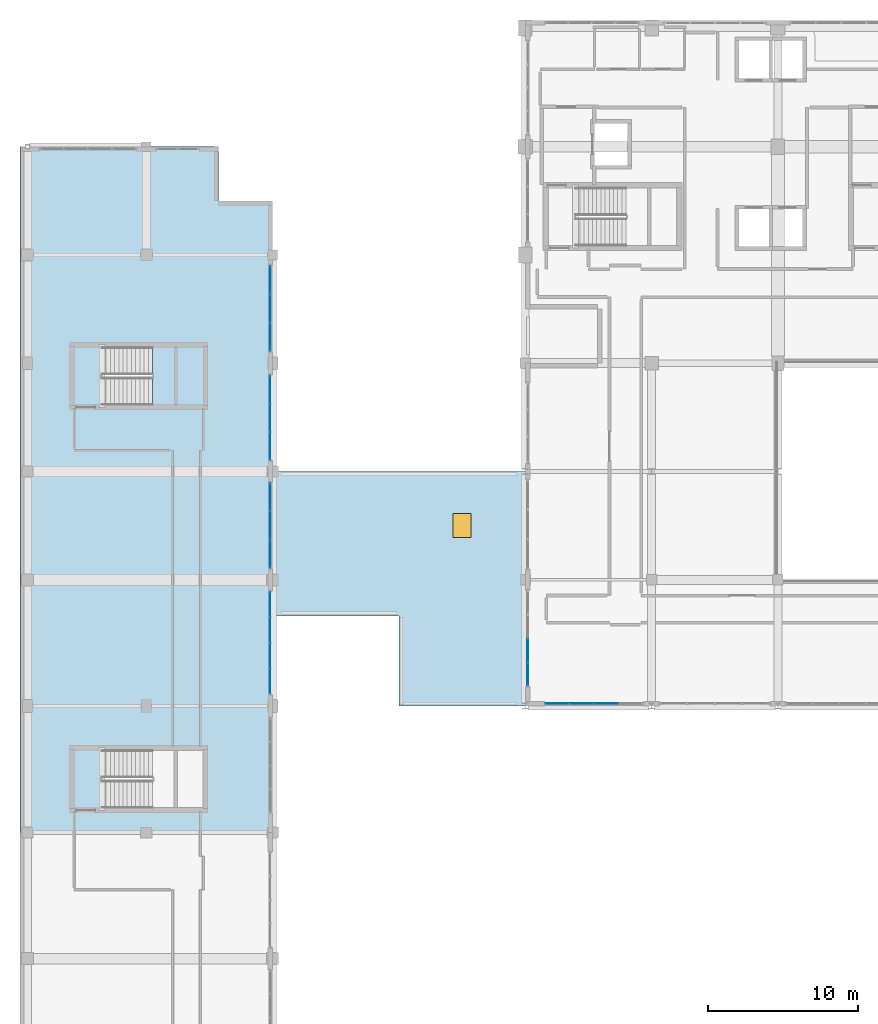
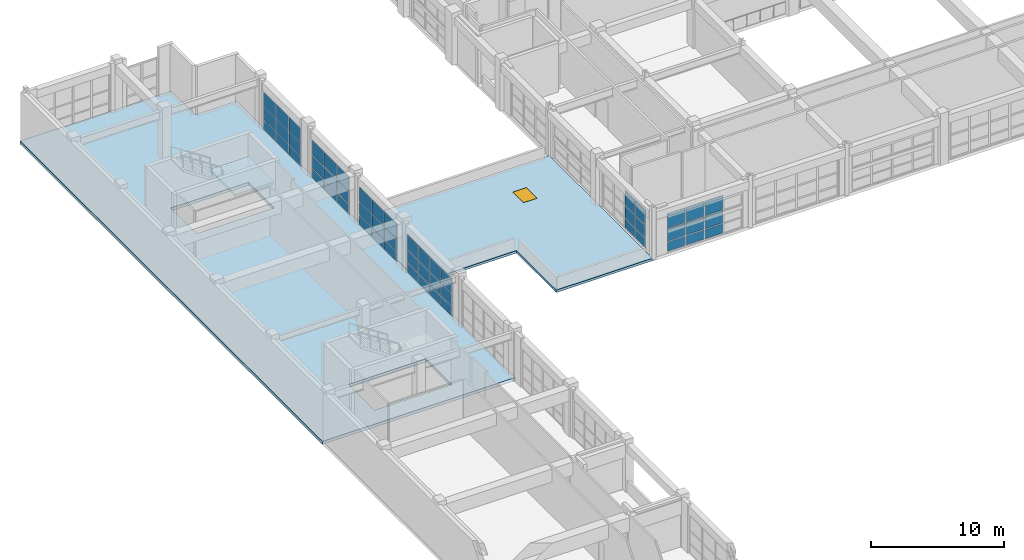
# One storey, part 91 of 123: 54 plates, 3 slabs, 1 window, 1 opening, 7 elements without a shape of their own.
"""IFC4 building model written with IfcOpenShell, lengths in metres."""

from ifc_helpers import new_model, si_unit, direction, frame, origin, origin_2d, place, context, subcontext, project, spatial, polyline, rectangle, outline, extrude, material, layer, layer_set, type_object, element, fill, aggregate, save


model = new_model("IFC4")

# Units and contexts
model_context = context("Model", 3, precision=1e-05, world=origin(), true_north=direction((0.0, 1.0)))
body_context = subcontext(model_context, "Body", "Model", "MODEL_VIEW")
ifc_project = project(units=[si_unit("LENGTHUNIT", "METRE"), si_unit("AREAUNIT", "SQUARE_METRE"), si_unit("VOLUMEUNIT", "CUBIC_METRE"), si_unit("PLANEANGLEUNIT", "RADIAN"), si_unit("MASSUNIT", "GRAM", prefix="KILO")], contexts=[model_context])

# Site, building, storey
site_placement = place(None, origin())
site = spatial("IfcSite", under=ifc_project, at=site_placement, CompositionType="ELEMENT")
building_placement = place(site_placement, origin())
building = spatial("IfcBuilding", under=site, at=building_placement, Name="Quendrovan Civic Courthouse", CompositionType="ELEMENT")
storey_placement = place(building_placement, frame((0.0, 0.0, 5.39990234375)))
storey = spatial("IfcBuildingStorey", under=building, at=storey_placement, Name="L02", CompositionType="ELEMENT", Elevation=5.39990234375)

# Curtain wall, plates
ifc_material_1 = material(Name="Bronze anodised aluminium and low-E glass", Category="aluminium")
ifc_layer_1 = layer(ifc_material_1, 0.179931640625, Name="Bronze anodised aluminium and low-E glass")
ifc_layer_set_1 = layer_set([ifc_layer_1], Name="Bronze anodised aluminium and low-E glass")
curtain_wall_type_1 = type_object("IfcCurtainWallType", Name="CW-U69x36", PredefinedType="USERDEFINED", material=ifc_layer_set_1)
curtain_wall_1_placement = place(storey_placement, origin())
curtain_wall_1 = element("IfcCurtainWall", 1, at=curtain_wall_1_placement, inside=storey, type_object=curtain_wall_type_1, Name="L02 Unitised Hurricane Curtain Wall CW-072", ObjectType="UNITISED CURTAIN WALL", PredefinedType="USERDEFINED")
ifc_material_2 = material(Name="Laminated hurricane-impact low-E glass", Category="glass")
ifc_layer_2 = layer(ifc_material_2, 0.028076171875, Name="Laminated hurricane-impact low-E glass")
ifc_layer_set_2 = layer_set([ifc_layer_2], Name="Laminated hurricane-impact low-E glass")
plate_type_1 = type_object("IfcPlateType", Name="CW-PNL-1", PredefinedType="CURTAIN_PANEL", material=ifc_layer_set_2)
plate_1_placement = place(storey_placement, frame((16.635009765625, 71.5732421875, 0.0703125), z_axis=(0.0, 0.0, 1.0), x_axis=(0.0, -1.0, 0.0)))
plate_1 = element("IfcPlate", 2, at=plate_1_placement, type_object=plate_type_1, Name="CW-072 panel 1.1", PredefinedType="CURTAIN_PANEL", context=body_context, shape_type="SweptSolid", body=[
    extrude(rectangle(XDim=1.61376953125, YDim=0.028076171875, at=origin_2d()), origin(), (0.0, 0.0, 1.0), 0.844970703125),
])
plate_2_placement = place(storey_placement, frame((16.635009765625, 71.5732421875, 0.985107421875), z_axis=(0.0, 0.0, 1.0), x_axis=(0.0, -1.0, 0.0)))
plate_2 = element("IfcPlate", 3, at=plate_2_placement, type_object=plate_type_1, Name="CW-072 panel 1.2", PredefinedType="CURTAIN_PANEL", context=body_context, shape_type="SweptSolid", body=[
    extrude(rectangle(XDim=1.61376953125, YDim=0.028076171875, at=origin_2d()), origin(), (0.0, 0.0, 1.0), 1.1298828125),
])
plate_3_placement = place(storey_placement, frame((16.635009765625, 71.5732421875, 2.18505859375), z_axis=(0.0, 0.0, 1.0), x_axis=(0.0, -1.0, 0.0)))
plate_3 = element("IfcPlate", 4, at=plate_3_placement, type_object=plate_type_1, Name="CW-072 panel 1.3", PredefinedType="CURTAIN_PANEL", context=body_context, shape_type="SweptSolid", body=[
    extrude(rectangle(XDim=1.61376953125, YDim=0.028076171875, at=origin_2d()), origin(), (0.0, 0.0, 1.0), 1.344970703125),
])
plate_4_placement = place(storey_placement, frame((16.635009765625, 69.871826171875, 0.0703125), z_axis=(0.0, 0.0, 1.0), x_axis=(0.0, -1.0, 0.0)))
plate_4 = element("IfcPlate", 5, at=plate_4_placement, type_object=plate_type_1, Name="CW-072 panel 2.1", PredefinedType="CURTAIN_PANEL", context=body_context, shape_type="SweptSolid", body=[
    extrude(rectangle(XDim=1.648681640625, YDim=0.028076171875, at=origin_2d()), origin(), (0.0, 0.0, 1.0), 0.844970703125),
])
plate_5_placement = place(storey_placement, frame((16.635009765625, 69.871826171875, 0.985107421875), z_axis=(0.0, 0.0, 1.0), x_axis=(0.0, -1.0, 0.0)))
plate_5 = element("IfcPlate", 6, at=plate_5_placement, type_object=plate_type_1, Name="CW-072 panel 2.2", PredefinedType="CURTAIN_PANEL", context=body_context, shape_type="SweptSolid", body=[
    extrude(rectangle(XDim=1.648681640625, YDim=0.028076171875, at=origin_2d()), origin(), (0.0, 0.0, 1.0), 1.1298828125),
])
plate_6_placement = place(storey_placement, frame((16.635009765625, 69.871826171875, 2.18505859375), z_axis=(0.0, 0.0, 1.0), x_axis=(0.0, -1.0, 0.0)))
plate_6 = element("IfcPlate", 7, at=plate_6_placement, type_object=plate_type_1, Name="CW-072 panel 2.3", PredefinedType="CURTAIN_PANEL", context=body_context, shape_type="SweptSolid", body=[
    extrude(rectangle(XDim=1.648681640625, YDim=0.028076171875, at=origin_2d()), origin(), (0.0, 0.0, 1.0), 1.344970703125),
])
plate_7_placement = place(storey_placement, frame((16.635009765625, 68.153076171875, 0.0703125), z_axis=(0.0, 0.0, 1.0), x_axis=(0.0, -1.0, 0.0)))
plate_7 = element("IfcPlate", 8, at=plate_7_placement, type_object=plate_type_1, Name="CW-072 panel 3.1", PredefinedType="CURTAIN_PANEL", context=body_context, shape_type="SweptSolid", body=[
    extrude(rectangle(XDim=1.648681640625, YDim=0.028076171875, at=origin_2d()), origin(), (0.0, 0.0, 1.0), 0.844970703125),
])
plate_8_placement = place(storey_placement, frame((16.635009765625, 68.153076171875, 0.985107421875), z_axis=(0.0, 0.0, 1.0), x_axis=(0.0, -1.0, 0.0)))
plate_8 = element("IfcPlate", 9, at=plate_8_placement, type_object=plate_type_1, Name="CW-072 panel 3.2", PredefinedType="CURTAIN_PANEL", context=body_context, shape_type="SweptSolid", body=[
    extrude(rectangle(XDim=1.648681640625, YDim=0.028076171875, at=origin_2d()), origin(), (0.0, 0.0, 1.0), 1.1298828125),
])
plate_9_placement = place(storey_placement, frame((16.635009765625, 68.153076171875, 2.18505859375), z_axis=(0.0, 0.0, 1.0), x_axis=(0.0, -1.0, 0.0)))
plate_9 = element("IfcPlate", 10, at=plate_9_placement, type_object=plate_type_1, Name="CW-072 panel 3.3", PredefinedType="CURTAIN_PANEL", context=body_context, shape_type="SweptSolid", body=[
    extrude(rectangle(XDim=1.648681640625, YDim=0.028076171875, at=origin_2d()), origin(), (0.0, 0.0, 1.0), 1.344970703125),
])
plate_10_placement = place(storey_placement, frame((16.635009765625, 66.451904296875, 0.0703125), z_axis=(0.0, 0.0, 1.0), x_axis=(0.0, -1.0, 0.0)))
plate_10 = element("IfcPlate", 11, at=plate_10_placement, type_object=plate_type_1, Name="CW-072 panel 4.1", PredefinedType="CURTAIN_PANEL", context=body_context, shape_type="SweptSolid", body=[
    extrude(rectangle(XDim=1.61376953125, YDim=0.028076171875, at=origin_2d()), origin(), (0.0, 0.0, 1.0), 0.844970703125),
])
plate_11_placement = place(storey_placement, frame((16.635009765625, 66.451904296875, 0.985107421875), z_axis=(0.0, 0.0, 1.0), x_axis=(0.0, -1.0, 0.0)))
plate_11 = element("IfcPlate", 12, at=plate_11_placement, type_object=plate_type_1, Name="CW-072 panel 4.2", PredefinedType="CURTAIN_PANEL", context=body_context, shape_type="SweptSolid", body=[
    extrude(rectangle(XDim=1.61376953125, YDim=0.028076171875, at=origin_2d()), origin(), (0.0, 0.0, 1.0), 1.1298828125),
])
plate_12_placement = place(storey_placement, frame((16.635009765625, 66.451904296875, 2.18505859375), z_axis=(0.0, 0.0, 1.0), x_axis=(0.0, -1.0, 0.0)))
plate_12 = element("IfcPlate", 13, at=plate_12_placement, type_object=plate_type_1, Name="CW-072 panel 4.3", PredefinedType="CURTAIN_PANEL", context=body_context, shape_type="SweptSolid", body=[
    extrude(rectangle(XDim=1.61376953125, YDim=0.028076171875, at=origin_2d()), origin(), (0.0, 0.0, 1.0), 1.344970703125),
])
aggregate(curtain_wall_1, [plate_1, plate_2, plate_3, plate_4, plate_5, plate_6, plate_7, plate_8, plate_9, plate_10, plate_11, plate_12])

ifc_layer_3 = layer(ifc_material_1, 0.179931640625, Name="Bronze anodised aluminium and low-E glass")
ifc_layer_set_3 = layer_set([ifc_layer_3], Name="Bronze anodised aluminium and low-E glass")
curtain_wall_type_2 = type_object("IfcCurtainWallType", Name="CW-U58x36", PredefinedType="USERDEFINED", material=ifc_layer_set_3)
curtain_wall_2_placement = place(storey_placement, origin())
curtain_wall_2 = element("IfcCurtainWall", 14, at=curtain_wall_2_placement, inside=storey, type_object=curtain_wall_type_2, Name="L02 Unitised Hurricane Curtain Wall CW-069", ObjectType="UNITISED CURTAIN WALL", PredefinedType="USERDEFINED")
ifc_layer_4 = layer(ifc_material_2, 0.031982421875, Name="Laminated hurricane-impact low-E glass")
ifc_layer_set_4 = layer_set([ifc_layer_4], Name="Laminated hurricane-impact low-E glass")
plate_type_2 = type_object("IfcPlateType", Name="CW-PNL-2", PredefinedType="CURTAIN_PANEL", material=ifc_layer_set_4)
plate_13_placement = place(storey_placement, frame((16.635009765625, 93.150390625, 0.065185546875), z_axis=(0.0, 0.0, 1.0), x_axis=(0.0, -1.0, 0.0)))
plate_13 = element("IfcPlate", 15, at=plate_13_placement, type_object=plate_type_2, Name="CW-069 panel 1.1", PredefinedType="CURTAIN_PANEL", context=body_context, shape_type="SweptSolid", body=[
    extrude(rectangle(XDim=1.819091796875, YDim=0.031982421875, at=origin_2d()), origin(), (0.0, 0.0, 1.0), 0.8525390625),
])
plate_14_placement = place(storey_placement, frame((16.635009765625, 93.150390625, 0.982421875), z_axis=(0.0, 0.0, 1.0), x_axis=(0.0, -1.0, 0.0)))
plate_14 = element("IfcPlate", 16, at=plate_14_placement, type_object=plate_type_2, Name="CW-069 panel 1.2", PredefinedType="CURTAIN_PANEL", context=body_context, shape_type="SweptSolid", body=[
    extrude(rectangle(XDim=1.819091796875, YDim=0.031982421875, at=origin_2d()), origin(), (0.0, 0.0, 1.0), 1.135009765625),
])
plate_15_placement = place(storey_placement, frame((16.635009765625, 93.150390625, 2.1826171875), z_axis=(0.0, 0.0, 1.0), x_axis=(0.0, -1.0, 0.0)))
plate_15 = element("IfcPlate", 17, at=plate_15_placement, type_object=plate_type_2, Name="CW-069 panel 1.3", PredefinedType="CURTAIN_PANEL", context=body_context, shape_type="SweptSolid", body=[
    extrude(rectangle(XDim=1.819091796875, YDim=0.031982421875, at=origin_2d()), origin(), (0.0, 0.0, 1.0), 1.3525390625),
])
plate_16_placement = place(storey_placement, frame((16.635009765625, 91.25, 0.065185546875), z_axis=(0.0, 0.0, 1.0), x_axis=(0.0, -1.0, 0.0)))
plate_16 = element("IfcPlate", 18, at=plate_16_placement, type_object=plate_type_2, Name="CW-069 panel 2.1", PredefinedType="CURTAIN_PANEL", context=body_context, shape_type="SweptSolid", body=[
    extrude(rectangle(XDim=1.8515625, YDim=0.031982421875, at=origin_2d()), origin(), (0.0, 0.0, 1.0), 0.8525390625),
])
plate_17_placement = place(storey_placement, frame((16.635009765625, 91.25, 0.982421875), z_axis=(0.0, 0.0, 1.0), x_axis=(0.0, -1.0, 0.0)))
plate_17 = element("IfcPlate", 19, at=plate_17_placement, type_object=plate_type_2, Name="CW-069 panel 2.2", PredefinedType="CURTAIN_PANEL", context=body_context, shape_type="SweptSolid", body=[
    extrude(rectangle(XDim=1.8515625, YDim=0.031982421875, at=origin_2d()), origin(), (0.0, 0.0, 1.0), 1.135009765625),
])
plate_18_placement = place(storey_placement, frame((16.635009765625, 91.25, 2.1826171875), z_axis=(0.0, 0.0, 1.0), x_axis=(0.0, -1.0, 0.0)))
plate_18 = element("IfcPlate", 20, at=plate_18_placement, type_object=plate_type_2, Name="CW-069 panel 2.3", PredefinedType="CURTAIN_PANEL", context=body_context, shape_type="SweptSolid", body=[
    extrude(rectangle(XDim=1.8515625, YDim=0.031982421875, at=origin_2d()), origin(), (0.0, 0.0, 1.0), 1.3525390625),
])
plate_19_placement = place(storey_placement, frame((16.635009765625, 89.349609375, 0.065185546875), z_axis=(0.0, 0.0, 1.0), x_axis=(0.0, -1.0, 0.0)))
plate_19 = element("IfcPlate", 21, at=plate_19_placement, type_object=plate_type_2, Name="CW-069 panel 3.1", PredefinedType="CURTAIN_PANEL", context=body_context, shape_type="SweptSolid", body=[
    extrude(rectangle(XDim=1.819091796875, YDim=0.031982421875, at=origin_2d()), origin(), (0.0, 0.0, 1.0), 0.8525390625),
])
plate_20_placement = place(storey_placement, frame((16.635009765625, 89.349609375, 0.982421875), z_axis=(0.0, 0.0, 1.0), x_axis=(0.0, -1.0, 0.0)))
plate_20 = element("IfcPlate", 22, at=plate_20_placement, type_object=plate_type_2, Name="CW-069 panel 3.2", PredefinedType="CURTAIN_PANEL", context=body_context, shape_type="SweptSolid", body=[
    extrude(rectangle(XDim=1.819091796875, YDim=0.031982421875, at=origin_2d()), origin(), (0.0, 0.0, 1.0), 1.135009765625),
])
plate_21_placement = place(storey_placement, frame((16.635009765625, 89.349609375, 2.1826171875), z_axis=(0.0, 0.0, 1.0), x_axis=(0.0, -1.0, 0.0)))
plate_21 = element("IfcPlate", 23, at=plate_21_placement, type_object=plate_type_2, Name="CW-069 panel 3.3", PredefinedType="CURTAIN_PANEL", context=body_context, shape_type="SweptSolid", body=[
    extrude(rectangle(XDim=1.819091796875, YDim=0.031982421875, at=origin_2d()), origin(), (0.0, 0.0, 1.0), 1.3525390625),
])
aggregate(curtain_wall_2, [plate_13, plate_14, plate_15, plate_16, plate_17, plate_18, plate_19, plate_20, plate_21])

ifc_layer_5 = layer(ifc_material_1, 0.179931640625, Name="Bronze anodised aluminium and low-E glass")
ifc_layer_set_5 = layer_set([ifc_layer_5], Name="Bronze anodised aluminium and low-E glass")
curtain_wall_type_3 = type_object("IfcCurtainWallType", Name="CW-U66x36", PredefinedType="USERDEFINED", material=ifc_layer_set_5)
curtain_wall_3_placement = place(storey_placement, origin())
curtain_wall_3 = element("IfcCurtainWall", 24, at=curtain_wall_3_placement, inside=storey, type_object=curtain_wall_type_3, Name="L02 Unitised Hurricane Curtain Wall CW-113", ObjectType="UNITISED CURTAIN WALL", PredefinedType="USERDEFINED")
plate_22_placement = place(storey_placement, frame((39.001953125, 64.965087890625, 0.065185546875), z_axis=(0.0, 0.0, 1.0), x_axis=(-1.0, 0.0, 0.0)))
plate_22 = element("IfcPlate", 25, at=plate_22_placement, type_object=plate_type_2, Name="CW-113 panel 2.1", PredefinedType="CURTAIN_PANEL", context=body_context, shape_type="SweptSolid", body=[
    extrude(rectangle(XDim=1.57568359375, YDim=0.031982421875, at=origin_2d()), origin(), (0.0, 0.0, 1.0), 0.8525390625),
])
plate_23_placement = place(storey_placement, frame((39.001953125, 64.965087890625, 0.982421875), z_axis=(0.0, 0.0, 1.0), x_axis=(-1.0, 0.0, 0.0)))
plate_23 = element("IfcPlate", 26, at=plate_23_placement, type_object=plate_type_2, Name="CW-113 panel 2.2", PredefinedType="CURTAIN_PANEL", context=body_context, shape_type="SweptSolid", body=[
    extrude(rectangle(XDim=1.57568359375, YDim=0.031982421875, at=origin_2d()), origin(), (0.0, 0.0, 1.0), 1.135009765625),
])
plate_24_placement = place(storey_placement, frame((39.001953125, 64.965087890625, 2.1826171875), z_axis=(0.0, 0.0, 1.0), x_axis=(-1.0, 0.0, 0.0)))
plate_24 = element("IfcPlate", 27, at=plate_24_placement, type_object=plate_type_2, Name="CW-113 panel 2.3", PredefinedType="CURTAIN_PANEL", context=body_context, shape_type="SweptSolid", body=[
    extrude(rectangle(XDim=1.57568359375, YDim=0.031982421875, at=origin_2d()), origin(), (0.0, 0.0, 1.0), 1.3525390625),
])
plate_25_placement = place(storey_placement, frame((37.361083984375, 64.965087890625, 0.065185546875), z_axis=(0.0, 0.0, 1.0), x_axis=(-1.0, 0.0, 0.0)))
plate_25 = element("IfcPlate", 28, at=plate_25_placement, type_object=plate_type_2, Name="CW-113 panel 3.1", PredefinedType="CURTAIN_PANEL", context=body_context, shape_type="SweptSolid", body=[
    extrude(rectangle(XDim=1.57568359375, YDim=0.031982421875, at=origin_2d()), origin(), (0.0, 0.0, 1.0), 0.8525390625),
])
plate_26_placement = place(storey_placement, frame((37.361083984375, 64.965087890625, 0.982421875), z_axis=(0.0, 0.0, 1.0), x_axis=(-1.0, 0.0, 0.0)))
plate_26 = element("IfcPlate", 29, at=plate_26_placement, type_object=plate_type_2, Name="CW-113 panel 3.2", PredefinedType="CURTAIN_PANEL", context=body_context, shape_type="SweptSolid", body=[
    extrude(rectangle(XDim=1.57568359375, YDim=0.031982421875, at=origin_2d()), origin(), (0.0, 0.0, 1.0), 1.135009765625),
])
plate_27_placement = place(storey_placement, frame((37.361083984375, 64.965087890625, 2.1826171875), z_axis=(0.0, 0.0, 1.0), x_axis=(-1.0, 0.0, 0.0)))
plate_27 = element("IfcPlate", 30, at=plate_27_placement, type_object=plate_type_2, Name="CW-113 panel 3.3", PredefinedType="CURTAIN_PANEL", context=body_context, shape_type="SweptSolid", body=[
    extrude(rectangle(XDim=1.57568359375, YDim=0.031982421875, at=origin_2d()), origin(), (0.0, 0.0, 1.0), 1.3525390625),
])
plate_28_placement = place(storey_placement, frame((35.736572265625, 64.965087890625, 0.065185546875), z_axis=(0.0, 0.0, 1.0), x_axis=(-1.0, 0.0, 0.0)))
plate_28 = element("IfcPlate", 31, at=plate_28_placement, type_object=plate_type_2, Name="CW-113 panel 4.1", PredefinedType="CURTAIN_PANEL", context=body_context, shape_type="SweptSolid", body=[
    extrude(rectangle(XDim=1.543212890625, YDim=0.031982421875, at=origin_2d()), origin(), (0.0, 0.0, 1.0), 0.8525390625),
])
plate_29_placement = place(storey_placement, frame((35.736572265625, 64.965087890625, 0.982421875), z_axis=(0.0, 0.0, 1.0), x_axis=(-1.0, 0.0, 0.0)))
plate_29 = element("IfcPlate", 32, at=plate_29_placement, type_object=plate_type_2, Name="CW-113 panel 4.2", PredefinedType="CURTAIN_PANEL", context=body_context, shape_type="SweptSolid", body=[
    extrude(rectangle(XDim=1.543212890625, YDim=0.031982421875, at=origin_2d()), origin(), (0.0, 0.0, 1.0), 1.135009765625),
])
plate_30_placement = place(storey_placement, frame((35.736572265625, 64.965087890625, 2.1826171875), z_axis=(0.0, 0.0, 1.0), x_axis=(-1.0, 0.0, 0.0)))
plate_30 = element("IfcPlate", 33, at=plate_30_placement, type_object=plate_type_2, Name="CW-113 panel 4.3", PredefinedType="CURTAIN_PANEL", context=body_context, shape_type="SweptSolid", body=[
    extrude(rectangle(XDim=1.543212890625, YDim=0.031982421875, at=origin_2d()), origin(), (0.0, 0.0, 1.0), 1.3525390625),
])
aggregate(curtain_wall_3, [plate_22, plate_23, plate_24, plate_25, plate_26, plate_27, plate_28, plate_29, plate_30])

ifc_layer_6 = layer(ifc_material_1, 0.179931640625, Name="Bronze anodised aluminium and low-E glass")
ifc_layer_set_6 = layer_set([ifc_layer_6], Name="Bronze anodised aluminium and low-E glass")
curtain_wall_type_4 = type_object("IfcCurtainWallType", Name="CW-U57x36", PredefinedType="USERDEFINED", material=ifc_layer_set_6)
curtain_wall_4_placement = place(storey_placement, origin())
curtain_wall_4 = element("IfcCurtainWall", 34, at=curtain_wall_4_placement, inside=storey, type_object=curtain_wall_type_4, Name="L02 Unitised Hurricane Curtain Wall CW-070", ObjectType="UNITISED CURTAIN WALL", PredefinedType="USERDEFINED")
ifc_layer_7 = layer(ifc_material_2, 0.035888671875, Name="Laminated hurricane-impact low-E glass")
ifc_layer_set_7 = layer_set([ifc_layer_7], Name="Laminated hurricane-impact low-E glass")
plate_type_3 = type_object("IfcPlateType", Name="CW-PNL-3", PredefinedType="CURTAIN_PANEL", material=ifc_layer_set_7)
plate_31_placement = place(storey_placement, frame((16.635009765625, 85.857421875, 0.0703125), z_axis=(0.0, 0.0, 1.0), x_axis=(0.0, -1.0, 0.0)))
plate_31 = element("IfcPlate", 35, at=plate_31_placement, type_object=plate_type_3, Name="CW-070 panel 1.1", PredefinedType="CURTAIN_PANEL", context=body_context, shape_type="SweptSolid", body=[
    extrude(rectangle(XDim=1.794921875, YDim=0.035888671875, at=origin_2d()), origin(), (0.0, 0.0, 1.0), 0.844970703125),
])
plate_32_placement = place(storey_placement, frame((16.635009765625, 85.857421875, 0.985107421875), z_axis=(0.0, 0.0, 1.0), x_axis=(0.0, -1.0, 0.0)))
plate_32 = element("IfcPlate", 36, at=plate_32_placement, type_object=plate_type_3, Name="CW-070 panel 1.2", PredefinedType="CURTAIN_PANEL", context=body_context, shape_type="SweptSolid", body=[
    extrude(rectangle(XDim=1.794921875, YDim=0.035888671875, at=origin_2d()), origin(), (0.0, 0.0, 1.0), 1.1298828125),
])
plate_33_placement = place(storey_placement, frame((16.635009765625, 85.857421875, 2.18505859375), z_axis=(0.0, 0.0, 1.0), x_axis=(0.0, -1.0, 0.0)))
plate_33 = element("IfcPlate", 37, at=plate_33_placement, type_object=plate_type_3, Name="CW-070 panel 1.3", PredefinedType="CURTAIN_PANEL", context=body_context, shape_type="SweptSolid", body=[
    extrude(rectangle(XDim=1.794921875, YDim=0.035888671875, at=origin_2d()), origin(), (0.0, 0.0, 1.0), 1.344970703125),
])
plate_34_placement = place(storey_placement, frame((16.635009765625, 83.97509765625, 0.0703125), z_axis=(0.0, 0.0, 1.0), x_axis=(0.0, -1.0, 0.0)))
plate_34 = element("IfcPlate", 38, at=plate_34_placement, type_object=plate_type_3, Name="CW-070 panel 2.1", PredefinedType="CURTAIN_PANEL", context=body_context, shape_type="SweptSolid", body=[
    extrude(rectangle(XDim=1.830078125, YDim=0.035888671875, at=origin_2d()), origin(), (0.0, 0.0, 1.0), 0.844970703125),
])
plate_35_placement = place(storey_placement, frame((16.635009765625, 83.97509765625, 0.985107421875), z_axis=(0.0, 0.0, 1.0), x_axis=(0.0, -1.0, 0.0)))
plate_35 = element("IfcPlate", 39, at=plate_35_placement, type_object=plate_type_3, Name="CW-070 panel 2.2", PredefinedType="CURTAIN_PANEL", context=body_context, shape_type="SweptSolid", body=[
    extrude(rectangle(XDim=1.830078125, YDim=0.035888671875, at=origin_2d()), origin(), (0.0, 0.0, 1.0), 1.1298828125),
])
plate_36_placement = place(storey_placement, frame((16.635009765625, 83.97509765625, 2.18505859375), z_axis=(0.0, 0.0, 1.0), x_axis=(0.0, -1.0, 0.0)))
plate_36 = element("IfcPlate", 40, at=plate_36_placement, type_object=plate_type_3, Name="CW-070 panel 2.3", PredefinedType="CURTAIN_PANEL", context=body_context, shape_type="SweptSolid", body=[
    extrude(rectangle(XDim=1.830078125, YDim=0.035888671875, at=origin_2d()), origin(), (0.0, 0.0, 1.0), 1.344970703125),
])
plate_37_placement = place(storey_placement, frame((16.635009765625, 82.092529296875, 0.0703125), z_axis=(0.0, 0.0, 1.0), x_axis=(0.0, -1.0, 0.0)))
plate_37 = element("IfcPlate", 41, at=plate_37_placement, type_object=plate_type_3, Name="CW-070 panel 3.1", PredefinedType="CURTAIN_PANEL", context=body_context, shape_type="SweptSolid", body=[
    extrude(rectangle(XDim=1.794921875, YDim=0.035888671875, at=origin_2d()), origin(), (0.0, 0.0, 1.0), 0.844970703125),
])
plate_38_placement = place(storey_placement, frame((16.635009765625, 82.092529296875, 0.985107421875), z_axis=(0.0, 0.0, 1.0), x_axis=(0.0, -1.0, 0.0)))
plate_38 = element("IfcPlate", 42, at=plate_38_placement, type_object=plate_type_3, Name="CW-070 panel 3.2", PredefinedType="CURTAIN_PANEL", context=body_context, shape_type="SweptSolid", body=[
    extrude(rectangle(XDim=1.794921875, YDim=0.035888671875, at=origin_2d()), origin(), (0.0, 0.0, 1.0), 1.1298828125),
])
plate_39_placement = place(storey_placement, frame((16.635009765625, 82.092529296875, 2.18505859375), z_axis=(0.0, 0.0, 1.0), x_axis=(0.0, -1.0, 0.0)))
plate_39 = element("IfcPlate", 43, at=plate_39_placement, type_object=plate_type_3, Name="CW-070 panel 3.3", PredefinedType="CURTAIN_PANEL", context=body_context, shape_type="SweptSolid", body=[
    extrude(rectangle(XDim=1.794921875, YDim=0.035888671875, at=origin_2d()), origin(), (0.0, 0.0, 1.0), 1.344970703125),
])
aggregate(curtain_wall_4, [plate_31, plate_32, plate_33, plate_34, plate_35, plate_36, plate_37, plate_38, plate_39])

ifc_layer_8 = layer(ifc_material_1, 0.179931640625, Name="Bronze anodised aluminium and low-E glass")
ifc_layer_set_8 = layer_set([ifc_layer_8], Name="Bronze anodised aluminium and low-E glass")
curtain_wall_type_5 = type_object("IfcCurtainWallType", Name="CW-U64x36", PredefinedType="USERDEFINED", material=ifc_layer_set_8)
curtain_wall_5_placement = place(storey_placement, origin())
curtain_wall_5 = element("IfcCurtainWall", 44, at=curtain_wall_5_placement, inside=storey, type_object=curtain_wall_type_5, Name="L02 Unitised Hurricane Curtain Wall CW-114", ObjectType="UNITISED CURTAIN WALL", PredefinedType="USERDEFINED")
plate_40_placement = place(storey_placement, frame((33.764892578125, 66.91748046875, 0.0703125), z_axis=(0.0, 0.0, 1.0), x_axis=(0.0, 1.0, 0.0)))
plate_40 = element("IfcPlate", 45, at=plate_40_placement, type_object=plate_type_3, Name="CW-114 panel 1.1", PredefinedType="CURTAIN_PANEL", context=body_context, shape_type="SweptSolid", body=[
    extrude(rectangle(XDim=1.4951171875, YDim=0.035888671875, at=origin_2d()), origin(), (0.0, 0.0, 1.0), 0.844970703125),
])
plate_41_placement = place(storey_placement, frame((33.764892578125, 66.91748046875, 0.985107421875), z_axis=(0.0, 0.0, 1.0), x_axis=(0.0, 1.0, 0.0)))
plate_41 = element("IfcPlate", 46, at=plate_41_placement, type_object=plate_type_3, Name="CW-114 panel 1.2", PredefinedType="CURTAIN_PANEL", context=body_context, shape_type="SweptSolid", body=[
    extrude(rectangle(XDim=1.4951171875, YDim=0.035888671875, at=origin_2d()), origin(), (0.0, 0.0, 1.0), 1.1298828125),
])
plate_42_placement = place(storey_placement, frame((33.764892578125, 66.91748046875, 2.18505859375), z_axis=(0.0, 0.0, 1.0), x_axis=(0.0, 1.0, 0.0)))
plate_42 = element("IfcPlate", 47, at=plate_42_placement, type_object=plate_type_3, Name="CW-114 panel 1.3", PredefinedType="CURTAIN_PANEL", context=body_context, shape_type="SweptSolid", body=[
    extrude(rectangle(XDim=1.4951171875, YDim=0.035888671875, at=origin_2d()), origin(), (0.0, 0.0, 1.0), 1.344970703125),
])
plate_43_placement = place(storey_placement, frame((33.764892578125, 68.5, 0.0703125), z_axis=(0.0, 0.0, 1.0), x_axis=(0.0, 1.0, 0.0)))
plate_43 = element("IfcPlate", 48, at=plate_43_placement, type_object=plate_type_3, Name="CW-114 panel 2.1", PredefinedType="CURTAIN_PANEL", context=body_context, shape_type="SweptSolid", body=[
    extrude(rectangle(XDim=1.530029296875, YDim=0.035888671875, at=origin_2d()), origin(), (0.0, 0.0, 1.0), 0.844970703125),
])
plate_44_placement = place(storey_placement, frame((33.764892578125, 68.5, 0.985107421875), z_axis=(0.0, 0.0, 1.0), x_axis=(0.0, 1.0, 0.0)))
plate_44 = element("IfcPlate", 49, at=plate_44_placement, type_object=plate_type_3, Name="CW-114 panel 2.2", PredefinedType="CURTAIN_PANEL", context=body_context, shape_type="SweptSolid", body=[
    extrude(rectangle(XDim=1.530029296875, YDim=0.035888671875, at=origin_2d()), origin(), (0.0, 0.0, 1.0), 1.1298828125),
])
plate_45_placement = place(storey_placement, frame((33.764892578125, 68.5, 2.18505859375), z_axis=(0.0, 0.0, 1.0), x_axis=(0.0, 1.0, 0.0)))
plate_45 = element("IfcPlate", 50, at=plate_45_placement, type_object=plate_type_3, Name="CW-114 panel 2.3", PredefinedType="CURTAIN_PANEL", context=body_context, shape_type="SweptSolid", body=[
    extrude(rectangle(XDim=1.530029296875, YDim=0.035888671875, at=origin_2d()), origin(), (0.0, 0.0, 1.0), 1.344970703125),
])
aggregate(curtain_wall_5, [plate_40, plate_41, plate_42, plate_43, plate_44, plate_45])

curtain_wall_6_placement = place(storey_placement, origin())
curtain_wall_6 = element("IfcCurtainWall", 51, at=curtain_wall_6_placement, inside=storey, type_object=curtain_wall_type_4, Name="L02 Unitised Hurricane Curtain Wall CW-071", ObjectType="UNITISED CURTAIN WALL", PredefinedType="USERDEFINED")
ifc_layer_9 = layer(ifc_material_2, 0.0419921875, Name="Laminated hurricane-impact low-E glass")
ifc_layer_set_9 = layer_set([ifc_layer_9], Name="Laminated hurricane-impact low-E glass")
plate_type_4 = type_object("IfcPlateType", Name="CW-PNL-4", PredefinedType="CURTAIN_PANEL", material=ifc_layer_set_9)
plate_46_placement = place(storey_placement, frame((16.635009765625, 78.70458984375, 0.065185546875), z_axis=(0.0, 0.0, 1.0), x_axis=(0.0, -1.0, 0.0)))
plate_46 = element("IfcPlate", 52, at=plate_46_placement, type_object=plate_type_4, Name="CW-071 panel 1.1", PredefinedType="CURTAIN_PANEL", context=body_context, shape_type="SweptSolid", body=[
    extrude(rectangle(XDim=1.810791015625, YDim=0.0419921875, at=origin_2d()), origin(), (0.0, 0.0, 1.0), 0.8525390625),
])
plate_47_placement = place(storey_placement, frame((16.635009765625, 78.70458984375, 0.982421875), z_axis=(0.0, 0.0, 1.0), x_axis=(0.0, -1.0, 0.0)))
plate_47 = element("IfcPlate", 53, at=plate_47_placement, type_object=plate_type_4, Name="CW-071 panel 1.2", PredefinedType="CURTAIN_PANEL", context=body_context, shape_type="SweptSolid", body=[
    extrude(rectangle(XDim=1.810791015625, YDim=0.0419921875, at=origin_2d()), origin(), (0.0, 0.0, 1.0), 1.135009765625),
])
plate_48_placement = place(storey_placement, frame((16.635009765625, 78.70458984375, 2.1826171875), z_axis=(0.0, 0.0, 1.0), x_axis=(0.0, -1.0, 0.0)))
plate_48 = element("IfcPlate", 54, at=plate_48_placement, type_object=plate_type_4, Name="CW-071 panel 1.3", PredefinedType="CURTAIN_PANEL", context=body_context, shape_type="SweptSolid", body=[
    extrude(rectangle(XDim=1.810791015625, YDim=0.0419921875, at=origin_2d()), origin(), (0.0, 0.0, 1.0), 1.3525390625),
])
plate_49_placement = place(storey_placement, frame((16.635009765625, 76.8125, 0.065185546875), z_axis=(0.0, 0.0, 1.0), x_axis=(0.0, -1.0, 0.0)))
plate_49 = element("IfcPlate", 55, at=plate_49_placement, type_object=plate_type_4, Name="CW-071 panel 2.1", PredefinedType="CURTAIN_PANEL", context=body_context, shape_type="SweptSolid", body=[
    extrude(rectangle(XDim=1.84326171875, YDim=0.0419921875, at=origin_2d()), origin(), (0.0, 0.0, 1.0), 0.8525390625),
])
plate_50_placement = place(storey_placement, frame((16.635009765625, 76.8125, 0.982421875), z_axis=(0.0, 0.0, 1.0), x_axis=(0.0, -1.0, 0.0)))
plate_50 = element("IfcPlate", 56, at=plate_50_placement, type_object=plate_type_4, Name="CW-071 panel 2.2", PredefinedType="CURTAIN_PANEL", context=body_context, shape_type="SweptSolid", body=[
    extrude(rectangle(XDim=1.84326171875, YDim=0.0419921875, at=origin_2d()), origin(), (0.0, 0.0, 1.0), 1.135009765625),
])
plate_51_placement = place(storey_placement, frame((16.635009765625, 76.8125, 2.1826171875), z_axis=(0.0, 0.0, 1.0), x_axis=(0.0, -1.0, 0.0)))
plate_51 = element("IfcPlate", 57, at=plate_51_placement, type_object=plate_type_4, Name="CW-071 panel 2.3", PredefinedType="CURTAIN_PANEL", context=body_context, shape_type="SweptSolid", body=[
    extrude(rectangle(XDim=1.84326171875, YDim=0.0419921875, at=origin_2d()), origin(), (0.0, 0.0, 1.0), 1.3525390625),
])
plate_52_placement = place(storey_placement, frame((16.635009765625, 74.92041015625, 0.065185546875), z_axis=(0.0, 0.0, 1.0), x_axis=(0.0, -1.0, 0.0)))
plate_52 = element("IfcPlate", 58, at=plate_52_placement, type_object=plate_type_4, Name="CW-071 panel 3.1", PredefinedType="CURTAIN_PANEL", context=body_context, shape_type="SweptSolid", body=[
    extrude(rectangle(XDim=1.810791015625, YDim=0.0419921875, at=origin_2d()), origin(), (0.0, 0.0, 1.0), 0.8525390625),
])
plate_53_placement = place(storey_placement, frame((16.635009765625, 74.92041015625, 0.982421875), z_axis=(0.0, 0.0, 1.0), x_axis=(0.0, -1.0, 0.0)))
plate_53 = element("IfcPlate", 59, at=plate_53_placement, type_object=plate_type_4, Name="CW-071 panel 3.2", PredefinedType="CURTAIN_PANEL", context=body_context, shape_type="SweptSolid", body=[
    extrude(rectangle(XDim=1.810791015625, YDim=0.0419921875, at=origin_2d()), origin(), (0.0, 0.0, 1.0), 1.135009765625),
])
plate_54_placement = place(storey_placement, frame((16.635009765625, 74.92041015625, 2.1826171875), z_axis=(0.0, 0.0, 1.0), x_axis=(0.0, -1.0, 0.0)))
plate_54 = element("IfcPlate", 60, at=plate_54_placement, type_object=plate_type_4, Name="CW-071 panel 3.3", PredefinedType="CURTAIN_PANEL", context=body_context, shape_type="SweptSolid", body=[
    extrude(rectangle(XDim=1.810791015625, YDim=0.0419921875, at=origin_2d()), origin(), (0.0, 0.0, 1.0), 1.3525390625),
])
aggregate(curtain_wall_6, [plate_46, plate_47, plate_48, plate_49, plate_50, plate_51, plate_52, plate_53, plate_54])

# Slab
ifc_material_3 = material(Name="Post-tensioned concrete C50/60", Category="concrete")
ifc_layer_10 = layer(ifc_material_3, 0.280029296875, Name="Post-tensioned concrete C50/60")
ifc_layer_set_10 = layer_set([ifc_layer_10], Name="Post-tensioned concrete C50/60")
slab_type_1 = type_object("IfcSlabType", Name="SLB-PT-280", PredefinedType="FLOOR", material=ifc_layer_set_10)
slab_1_placement = place(storey_placement, frame((0.0, 0.0, -0.27978515625)))
element("IfcSlab", 61, at=slab_1_placement, inside=storey, type_object=slab_type_1, Name="L02 Structural Floor Slab V4N", PredefinedType="FLOOR", context=body_context, shape_type="SweptSolid", body=[
    extrude(outline(polyline([(0.0, 56.39990234375), (0.0, 102.0), (13.199951171875, 102.0), (13.199951171875, 98.39990234375), (16.800048828125, 98.39990234375), (16.800048828125, 56.39990234375), (0.0, 56.39990234375)]), holes=[polyline([(5.449951171875, 58.0), (12.199951171875, 58.0), (12.199951171875, 61.8798828125), (5.449951171875, 61.8798828125), (5.449951171875, 58.0)]), polyline([(5.449951171875, 84.800048828125), (12.199951171875, 84.800048828125), (12.199951171875, 88.679931640625), (5.449951171875, 88.679931640625), (5.449951171875, 84.800048828125)])]), origin(), (0.0, 0.0, 1.0), 0.27978515625),
])

# Slab, opening, window
ifc_material_4 = material(Name="Concrete C40/50", Category="concrete")
ifc_layer_11 = layer(ifc_material_4, 0.219970703125, Name="Concrete C40/50")
ifc_layer_set_11 = layer_set([ifc_layer_11], Name="Concrete C40/50")
slab_type_2 = type_object("IfcSlabType", Name="SLB-RC-220", PredefinedType="ROOF", material=ifc_layer_set_11)
slab_2_placement = place(storey_placement, frame((0.0, 0.0, -0.219970703125)))
slab_2 = element("IfcSlab", 62, at=slab_2_placement, inside=storey, type_object=slab_type_2, Name="L02 Step-Back Structural Roof Slab SLB-ROOF-L02-03", PredefinedType="ROOF", context=body_context, shape_type="SweptSolid", body=[
    extrude(outline(polyline([(25.199951171875, 70.800048828125), (16.800048828125, 70.800048828125), (16.800048828125, 80.39990234375), (33.60009765625, 80.39990234375), (33.60009765625, 64.800048828125), (25.199951171875, 64.800048828125), (25.199951171875, 70.800048828125)])), origin(), (0.0, 0.0, 1.0), 0.219970703125),
])
opening_placement = place(slab_2_placement, frame((29.39990234375, 76.800048828125, 0.0)))
opening = element("IfcOpeningElement", 63, at=opening_placement, cuts=slab_2, Name="Opening RH2", PredefinedType="OPENING", context=body_context, shape_type="SweptSolid", body=[
    extrude(rectangle(XDim=1.199951171875, YDim=1.60009765625, at=origin_2d()), frame((0.0, 0.0, -0.010009765625)), (0.0, 0.0, 1.0), 0.239990234375),
])
window_type = type_object("IfcWindowType", Name="WIN-HATCH-2", PartitioningType="SINGLE_PANEL", PredefinedType="SKYLIGHT", material=ifc_material_2)
window_placement = place(opening_placement, frame((0.0, 0.0, 0.169921875)))
window = element("IfcWindow", 64, at=window_placement, inside=storey, type_object=window_type, Name="L02 Smoke-Venting Roof Access Skylight Hatch RH-02", OverallHeight=1.60009765625, OverallWidth=1.199951171875, PartitioningType="SINGLE_PANEL", PredefinedType="SKYLIGHT", context=body_context, shape_type="SweptSolid", body=[
    extrude(rectangle(XDim=1.199951171875, YDim=1.60009765625, at=origin_2d()), origin(), (0.0, 0.0, 1.0), 0.050048828125),
])
fill(opening, window)

# Stair, slab
ifc_material_5 = material(Name="Precast concrete C45/55", Category="concrete")
stair_type = type_object("IfcStairType", Name="STR-FEAT-4800", PredefinedType="HALF_TURN_STAIR", material=ifc_material_5)
stair_placement = place(storey_placement, origin())
stair = element("IfcStair", 65, at=stair_placement, inside=storey, type_object=stair_type, Name="L02 North-West Law Library Exit Stair 8", PredefinedType="HALF_TURN_STAIR")
ifc_layer_12 = layer(ifc_material_4, 0.199951171875, Name="Concrete C40/50")
ifc_layer_set_12 = layer_set([ifc_layer_12], Name="Concrete C40/50")
slab_type_3 = type_object("IfcSlabType", Name="SLB-STAIR-LND200", PredefinedType="LANDING", material=ifc_layer_set_12)
slab_3_placement = place(storey_placement, frame((0.0, 0.0, 2.2001953125)))
slab_3 = element("IfcSlab", 66, at=slab_3_placement, type_object=slab_type_3, Name="ST8 landing 1", PredefinedType="LANDING", context=body_context, shape_type="SweptSolid", body=[
    extrude(outline(polyline([(8.81005859375, 84.800048828125), (12.199951171875, 84.800048828125), (12.199951171875, 88.679931640625), (8.81005859375, 88.679931640625), (8.81005859375, 84.800048828125)])), origin(), (0.0, 0.0, 1.0), 0.199951171875),
])
aggregate(stair, [slab_3])

save(model, "model.ifc")
